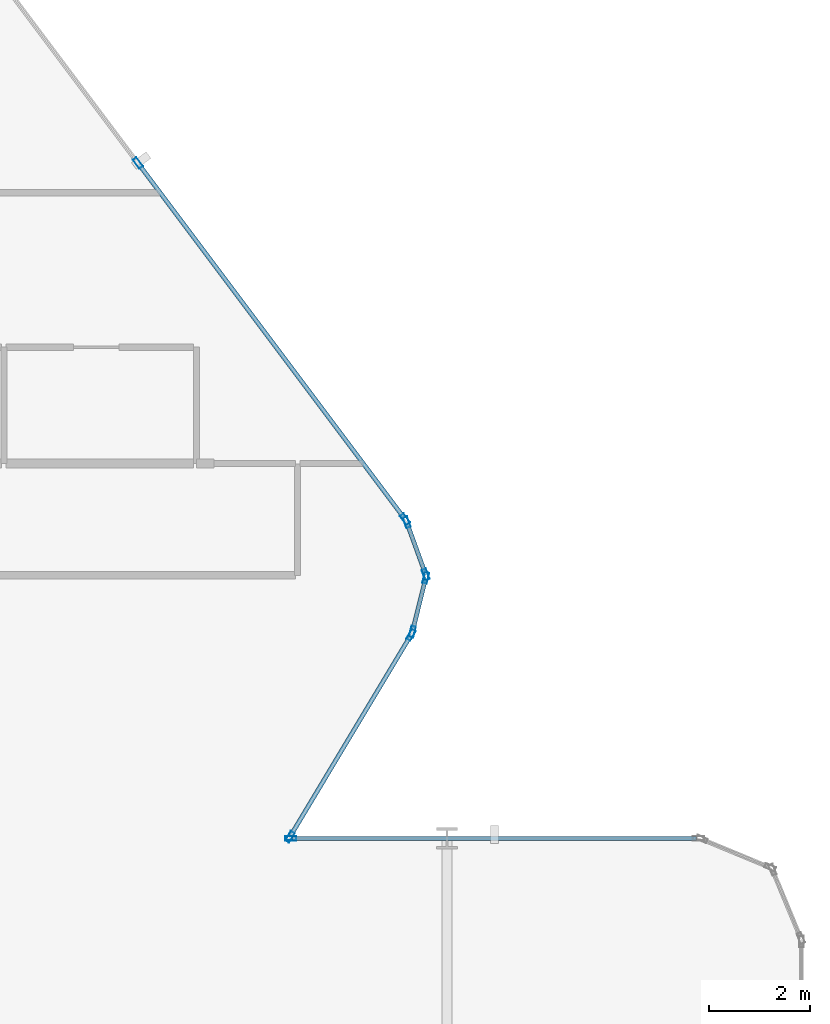
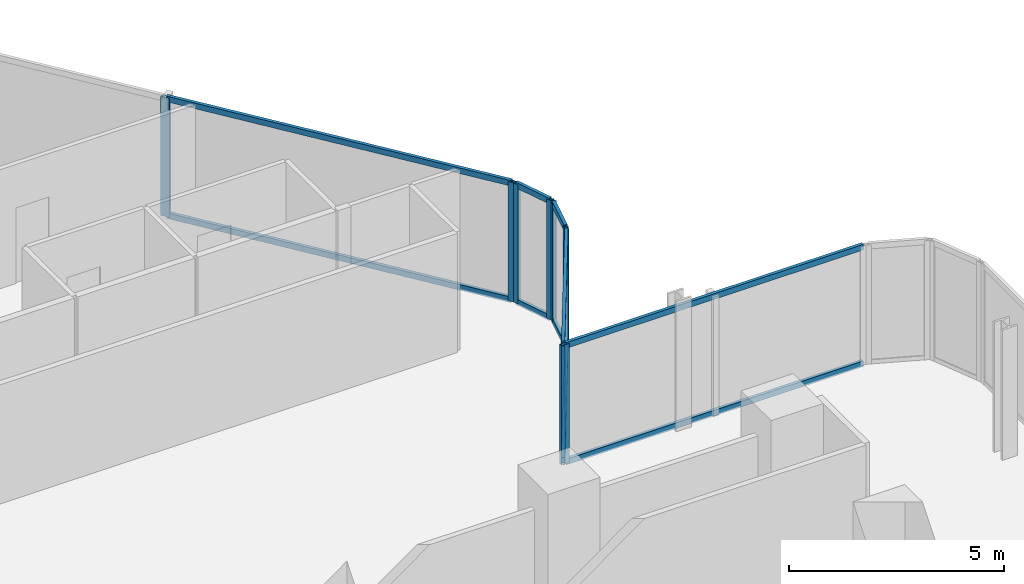
# One storey, part 15 of 34: 19 members, 5 elements without a shape of their own.
"""IFC4 building model written with IfcOpenShell, lengths in metres."""

from ifc_helpers import new_model, si_unit, direction, frame, origin, origin_2d, place, context, subcontext, project, spatial, hollow_rectangle, extrude, material, layer, layer_set, material_profile, profile_set, type_object, element, aggregate, save


model = new_model("IFC4")

# Units and contexts
model_context = context("Model", 3, precision=1e-05, world=origin(), true_north=direction((0.0, 1.0)))
body_context = subcontext(model_context, "Body", "Model", "MODEL_VIEW")
ifc_project = project(units=[si_unit("LENGTHUNIT", "METRE"), si_unit("AREAUNIT", "SQUARE_METRE"), si_unit("VOLUMEUNIT", "CUBIC_METRE"), si_unit("PLANEANGLEUNIT", "RADIAN"), si_unit("MASSUNIT", "GRAM", prefix="KILO")], contexts=[model_context])

# Site, building, storey
site_placement = place(None, origin())
site = spatial("IfcSite", under=ifc_project, at=site_placement, CompositionType="ELEMENT")
building_placement = place(site_placement, origin())
building = spatial("IfcBuilding", under=site, at=building_placement, Name="Keshet Zoharim Tower", CompositionType="ELEMENT")
storey_placement = place(building_placement, frame((0.0, 0.0, 31.39990234375)))
storey = spatial("IfcBuildingStorey", under=building, at=storey_placement, Name="L06", CompositionType="ELEMENT", Elevation=31.39990234375)

# Curtain wall, members
ifc_material = material(Name="Aluminium 6063-T6", Category="aluminium")
ifc_layer_1 = layer(ifc_material, 0.169921875)
ifc_layer_set_1 = layer_set([ifc_layer_1], Name="Aluminium 6063-T6")
curtain_wall_type_1 = type_object("IfcCurtainWallType", Name="CW-SYS-02", PredefinedType="NOTDEFINED", material=ifc_layer_set_1)
curtain_wall_1_placement = place(storey_placement, origin())
curtain_wall_1 = element("IfcCurtainWall", 1, at=curtain_wall_1_placement, inside=storey, type_object=curtain_wall_type_1, Name="L06 Unitised Curtain Wall 09", PredefinedType="NOTDEFINED")
ifc_material_profile_1 = material_profile(ifc_material, hollow_rectangle(XDim=0.090087890625, YDim=0.219970703125, WallThickness=0.0048828125, at=origin_2d()), Name="MUL-90x220")
ifc_profile_set_1 = profile_set([ifc_material_profile_1], Name="Aluminium 6063-T6")
member_type_1 = type_object("IfcMemberType", Name="CWM-M22", PredefinedType="MULLION", material=ifc_profile_set_1)
member_1_placement = place(storey_placement, frame((56.896484375, 46.0380859375, 0.0), z_axis=(0.0, 0.0, 1.0), x_axis=(0.799999999998, 0.600000000002, 0.0)))
member_1 = element("IfcMember", 2, at=member_1_placement, type_object=member_type_1, Name="CW-02 mullion 2", PredefinedType="MULLION", context=body_context, shape_type="SweptSolid", body=[
    extrude(hollow_rectangle(XDim=0.090087890625, YDim=0.219970703125, WallThickness=0.0048828125, at=origin_2d()), origin(), (0.0, 0.0, 1.0), 3.385009765625),
])
member_2_placement = place(storey_placement, frame((62.172119140625, 39.00390625, 0.0), z_axis=(0.0, 0.0, 1.0), x_axis=(0.799999999998, 0.600000000002, 0.0)))
member_2 = element("IfcMember", 3, at=member_2_placement, type_object=member_type_1, Name="CW-02 mullion 3", PredefinedType="MULLION", context=body_context, shape_type="SweptSolid", body=[
    extrude(hollow_rectangle(XDim=0.090087890625, YDim=0.219970703125, WallThickness=0.0048828125, at=origin_2d()), origin(), (0.0, 0.0, 1.0), 3.385009765625),
])

curtain_wall_2_placement = place(storey_placement, origin())
curtain_wall_2 = element("IfcCurtainWall", 4, at=curtain_wall_2_placement, inside=storey, type_object=curtain_wall_type_1, Name="L06 Unitised Curtain Wall 10", PredefinedType="NOTDEFINED")
member_3_placement = place(storey_placement, frame((62.204833984375, 38.943115234375, 0.0), z_axis=(0.0, 0.0, 1.0), x_axis=(0.940317877544, 0.340297354046, 0.0)))
member_3 = element("IfcMember", 5, at=member_3_placement, type_object=member_type_1, Name="CW-02 mullion 1", PredefinedType="MULLION", context=body_context, shape_type="SweptSolid", body=[
    extrude(hollow_rectangle(XDim=0.090087890625, YDim=0.219970703125, WallThickness=0.0048828125, at=origin_2d()), origin(), (0.0, 0.0, 1.0), 3.385009765625),
])
member_4_placement = place(storey_placement, frame((62.578125, 37.911865234375, 0.0), z_axis=(0.0, 0.0, 1.0), x_axis=(0.940317877544, 0.340297354046, 0.0)))
member_4 = element("IfcMember", 6, at=member_4_placement, type_object=member_type_1, Name="CW-02 mullion 2", PredefinedType="MULLION", context=body_context, shape_type="SweptSolid", body=[
    extrude(hollow_rectangle(XDim=0.090087890625, YDim=0.219970703125, WallThickness=0.0048828125, at=origin_2d()), origin(), (0.0, 0.0, 1.0), 3.385009765625),
])

curtain_wall_3_placement = place(storey_placement, origin())
curtain_wall_3 = element("IfcCurtainWall", 7, at=curtain_wall_3_placement, inside=storey, type_object=curtain_wall_type_1, Name="L06 Unitised Curtain Wall 11", PredefinedType="NOTDEFINED")
member_5_placement = place(storey_placement, frame((62.58154296875, 37.844970703125, 0.0), z_axis=(0.0, 0.0, 1.0), x_axis=(0.970343857447, -0.241728770141, 0.0)))
member_5 = element("IfcMember", 8, at=member_5_placement, type_object=member_type_1, Name="CW-02 mullion 1", PredefinedType="MULLION", context=body_context, shape_type="SweptSolid", body=[
    extrude(hollow_rectangle(XDim=0.090087890625, YDim=0.219970703125, WallThickness=0.0048828125, at=origin_2d()), origin(), (0.0, 0.0, 1.0), 3.385009765625),
])
member_6_placement = place(storey_placement, frame((62.31640625, 36.781005859375, 0.0), z_axis=(0.0, 0.0, 1.0), x_axis=(0.970343857447, -0.241728770141, 0.0)))
member_6 = element("IfcMember", 9, at=member_6_placement, type_object=member_type_1, Name="CW-02 mullion 2", PredefinedType="MULLION", context=body_context, shape_type="SweptSolid", body=[
    extrude(hollow_rectangle(XDim=0.090087890625, YDim=0.219970703125, WallThickness=0.0048828125, at=origin_2d()), origin(), (0.0, 0.0, 1.0), 3.385009765625),
])

ifc_layer_2 = layer(ifc_material, 0.179931640625)
ifc_layer_set_2 = layer_set([ifc_layer_2], Name="Aluminium 6063-T6")
curtain_wall_type_2 = type_object("IfcCurtainWallType", Name="CW-SYS-01", PredefinedType="NOTDEFINED", material=ifc_layer_set_2)
curtain_wall_4_placement = place(storey_placement, origin())
curtain_wall_4 = element("IfcCurtainWall", 10, at=curtain_wall_4_placement, inside=storey, type_object=curtain_wall_type_2, Name="L06 Unitised Curtain Wall 12", PredefinedType="NOTDEFINED")
member_7_placement = place(storey_placement, frame((62.2900390625, 36.717041015625, 0.0), z_axis=(0.0, 0.0, 1.0), x_axis=(0.857511621163, -0.51446459506, 0.0)))
member_7 = element("IfcMember", 11, at=member_7_placement, type_object=member_type_1, Name="CW-01 mullion 1", PredefinedType="MULLION", context=body_context, shape_type="SweptSolid", body=[
    extrude(hollow_rectangle(XDim=0.090087890625, YDim=0.219970703125, WallThickness=0.0048828125, at=origin_2d()), origin(), (0.0, 0.0, 1.0), 3.385009765625),
])
member_8_placement = place(storey_placement, frame((59.89794921875, 32.72998046875, 0.0), z_axis=(0.0, 0.0, 1.0), x_axis=(0.857511621163, -0.51446459506, 0.0)))
member_8 = element("IfcMember", 12, at=member_8_placement, type_object=member_type_1, Name="CW-01 mullion 2", PredefinedType="MULLION", context=body_context, shape_type="SweptSolid", body=[
    extrude(hollow_rectangle(XDim=0.090087890625, YDim=0.219970703125, WallThickness=0.0048828125, at=origin_2d()), origin(), (0.0, 0.0, 1.0), 3.385009765625),
])

# Curtain wall, member
curtain_wall_5_placement = place(storey_placement, origin())
curtain_wall_5 = element("IfcCurtainWall", 13, at=curtain_wall_5_placement, inside=storey, type_object=curtain_wall_type_1, Name="L06 Unitised Curtain Wall 13", PredefinedType="NOTDEFINED")
member_9_placement = place(storey_placement, frame((59.9150390625, 32.699951171875, 0.0), z_axis=(0.0, 0.0, 1.0), x_axis=(0.0, 1.0, 0.0)))
member_9 = element("IfcMember", 14, at=member_9_placement, type_object=member_type_1, Name="CW-02 mullion 1", PredefinedType="MULLION", context=body_context, shape_type="SweptSolid", body=[
    extrude(hollow_rectangle(XDim=0.090087890625, YDim=0.219970703125, WallThickness=0.0048828125, at=origin_2d()), origin(), (0.0, 0.0, 1.0), 3.385009765625),
])

# Member
ifc_material_profile_2 = material_profile(ifc_material, hollow_rectangle(XDim=0.0849609375, YDim=0.159912109375, WallThickness=0.00439453125, at=origin_2d()), Name="TRN-85x160")
ifc_profile_set_2 = profile_set([ifc_material_profile_2], Name="Aluminium 6063-T6")
member_type_2 = type_object("IfcMemberType", Name="CWT-T16", PredefinedType="USERDEFINED", material=ifc_profile_set_2)
member_10_placement = place(storey_placement, frame((56.91748046875, 46.010009765625, 0.03515625), z_axis=(0.599991043201, -0.800006717521, 0.0), x_axis=(0.800006717521, 0.599991043201, 0.0)))
member_10 = element("IfcMember", 15, at=member_10_placement, type_object=member_type_2, Name="CW-02 transom 2.1", ObjectType="TRANSOM", PredefinedType="USERDEFINED", context=body_context, shape_type="SweptSolid", body=[
    extrude(hollow_rectangle(XDim=0.0849609375, YDim=0.159912109375, WallThickness=0.00439453125, at=origin_2d()), origin(), (0.0, 0.0, 1.0), 8.722412109375),
])

member_11_placement = place(storey_placement, frame((56.91748046875, 46.010009765625, 3.35009765625), z_axis=(0.599991043201, -0.800006717521, 0.0), x_axis=(0.800006717521, 0.599991043201, 0.0)))
member_11 = element("IfcMember", 16, at=member_11_placement, type_object=member_type_2, Name="CW-02 transom 2.2", ObjectType="TRANSOM", PredefinedType="USERDEFINED", context=body_context, shape_type="SweptSolid", body=[
    extrude(hollow_rectangle(XDim=0.0849609375, YDim=0.159912109375, WallThickness=0.00439453125, at=origin_2d()), origin(), (0.0, 0.0, 1.0), 8.722412109375),
])

aggregate(curtain_wall_1, [member_1, member_2, member_10, member_11])

member_12_placement = place(storey_placement, frame((62.216796875, 38.91015625, 0.03515625), z_axis=(0.340310579984, -0.940313091024, 0.0), x_axis=(0.940313091024, 0.340310579984, 0.0)))
member_12 = element("IfcMember", 17, at=member_12_placement, type_object=member_type_2, Name="CW-02 transom 1.1", ObjectType="TRANSOM", PredefinedType="USERDEFINED", context=body_context, shape_type="SweptSolid", body=[
    extrude(hollow_rectangle(XDim=0.0849609375, YDim=0.159912109375, WallThickness=0.00439453125, at=origin_2d()), origin(), (0.0, 0.0, 1.0), 1.026611328125),
])

member_13_placement = place(storey_placement, frame((62.216796875, 38.91015625, 3.35009765625), z_axis=(0.340310579984, -0.940313091024, 0.0), x_axis=(0.940313091024, 0.340310579984, 0.0)))
member_13 = element("IfcMember", 18, at=member_13_placement, type_object=member_type_2, Name="CW-02 transom 1.2", ObjectType="TRANSOM", PredefinedType="USERDEFINED", context=body_context, shape_type="SweptSolid", body=[
    extrude(hollow_rectangle(XDim=0.0849609375, YDim=0.159912109375, WallThickness=0.00439453125, at=origin_2d()), origin(), (0.0, 0.0, 1.0), 1.026611328125),
])

aggregate(curtain_wall_2, [member_3, member_4, member_12, member_13])

member_14_placement = place(storey_placement, frame((62.572998046875, 37.81103515625, 0.03515625), z_axis=(-0.241640143717, -0.970365931463, 0.0), x_axis=(0.970365931463, -0.241640143717, 0.0)))
member_14 = element("IfcMember", 19, at=member_14_placement, type_object=member_type_2, Name="CW-02 transom 1.1", ObjectType="TRANSOM", PredefinedType="USERDEFINED", context=body_context, shape_type="SweptSolid", body=[
    extrude(hollow_rectangle(XDim=0.0849609375, YDim=0.159912109375, WallThickness=0.00439453125, at=origin_2d()), origin(), (0.0, 0.0, 1.0), 1.026611328125),
])

member_15_placement = place(storey_placement, frame((62.572998046875, 37.81103515625, 3.35009765625), z_axis=(-0.241640143717, -0.970365931463, 0.0), x_axis=(0.970365931463, -0.241640143717, 0.0)))
member_15 = element("IfcMember", 20, at=member_15_placement, type_object=member_type_2, Name="CW-02 transom 1.2", ObjectType="TRANSOM", PredefinedType="USERDEFINED", context=body_context, shape_type="SweptSolid", body=[
    extrude(hollow_rectangle(XDim=0.0849609375, YDim=0.159912109375, WallThickness=0.00439453125, at=origin_2d()), origin(), (0.0, 0.0, 1.0), 1.026611328125),
])

aggregate(curtain_wall_3, [member_5, member_6, member_14, member_15])

member_16_placement = place(storey_placement, frame((62.27197265625, 36.68701171875, 0.03515625), z_axis=(-0.514456555213, -0.857516444622, 0.0), x_axis=(0.857516444622, -0.514456555213, 0.0)))
member_16 = element("IfcMember", 21, at=member_16_placement, type_object=member_type_2, Name="CW-01 transom 1.1", ObjectType="TRANSOM", PredefinedType="USERDEFINED", context=body_context, shape_type="SweptSolid", body=[
    extrude(hollow_rectangle(XDim=0.0849609375, YDim=0.159912109375, WallThickness=0.00439453125, at=origin_2d()), origin(), (0.0, 0.0, 1.0), 4.57958984375),
])

member_17_placement = place(storey_placement, frame((62.27197265625, 36.68701171875, 3.35009765625), z_axis=(-0.514456555213, -0.857516444622, 0.0), x_axis=(0.857516444622, -0.514456555213, 0.0)))
member_17 = element("IfcMember", 22, at=member_17_placement, type_object=member_type_2, Name="CW-01 transom 1.2", ObjectType="TRANSOM", PredefinedType="USERDEFINED", context=body_context, shape_type="SweptSolid", body=[
    extrude(hollow_rectangle(XDim=0.0849609375, YDim=0.159912109375, WallThickness=0.00439453125, at=origin_2d()), origin(), (0.0, 0.0, 1.0), 4.57958984375),
])

aggregate(curtain_wall_4, [member_7, member_8, member_16, member_17])

member_18_placement = place(storey_placement, frame((59.949951171875, 32.699951171875, 0.03515625), z_axis=(1.0, 0.0, 0.0), x_axis=(0.0, 1.0, 0.0)))
member_18 = element("IfcMember", 23, at=member_18_placement, type_object=member_type_2, Name="CW-02 transom 1.1", ObjectType="TRANSOM", PredefinedType="USERDEFINED", context=body_context, shape_type="SweptSolid", body=[
    extrude(hollow_rectangle(XDim=0.0849609375, YDim=0.159912109375, WallThickness=0.00439453125, at=origin_2d()), origin(), (0.0, 0.0, 1.0), 7.97998046875),
])

member_19_placement = place(storey_placement, frame((59.949951171875, 32.699951171875, 3.35009765625), z_axis=(1.0, 0.0, 0.0), x_axis=(0.0, 1.0, 0.0)))
member_19 = element("IfcMember", 24, at=member_19_placement, type_object=member_type_2, Name="CW-02 transom 1.2", ObjectType="TRANSOM", PredefinedType="USERDEFINED", context=body_context, shape_type="SweptSolid", body=[
    extrude(hollow_rectangle(XDim=0.0849609375, YDim=0.159912109375, WallThickness=0.00439453125, at=origin_2d()), origin(), (0.0, 0.0, 1.0), 7.97998046875),
])

aggregate(curtain_wall_5, [member_9, member_18, member_19])

save(model, "model.ifc")
